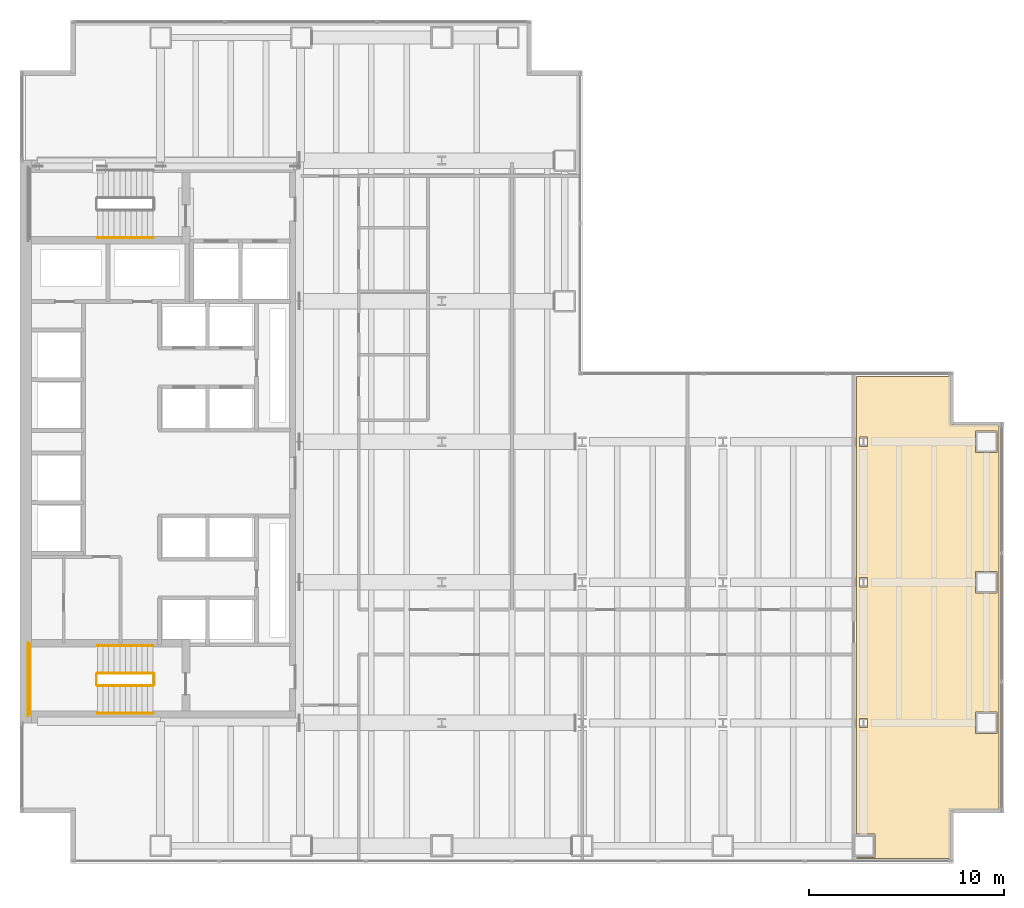
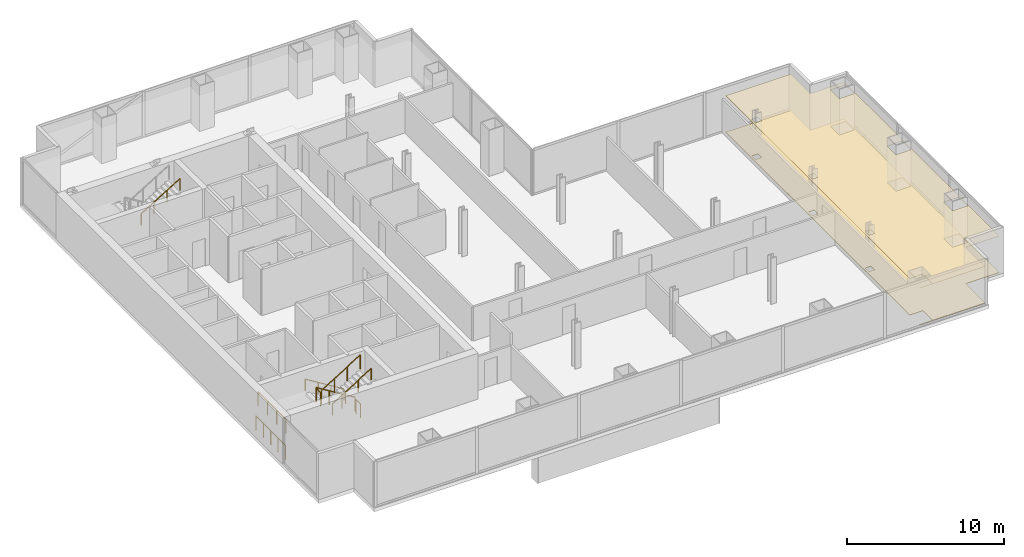
# One storey, part 23 of 24: 9 railings, 2 coverings.
"""IFC4 building model written with IfcOpenShell, lengths in metres."""

from ifc_helpers import new_model, si_unit, direction, frame, origin, origin_2d, place, context, subcontext, project, spatial, polyline, circle, outline, extrude, material, layer, layer_set, type_object, element, save


model = new_model("IFC4")

# Units and contexts
model_context = context("Model", 3, precision=1e-05, world=origin(), true_north=direction((0.0, 1.0)))
body_context = subcontext(model_context, "Body", "Model", "MODEL_VIEW")
ifc_project = project(units=[si_unit("LENGTHUNIT", "METRE"), si_unit("AREAUNIT", "SQUARE_METRE"), si_unit("VOLUMEUNIT", "CUBIC_METRE"), si_unit("PLANEANGLEUNIT", "RADIAN"), si_unit("MASSUNIT", "GRAM", prefix="KILO")], contexts=[model_context])

# Site, building, storey
site_placement = place(None, origin())
site = spatial("IfcSite", under=ifc_project, at=site_placement, CompositionType="ELEMENT")
building_placement = place(site_placement, origin())
building = spatial("IfcBuilding", under=site, at=building_placement, Name="Cobrela Telecom Tower", CompositionType="ELEMENT")
storey_placement = place(building_placement, frame((0.0, 0.0, 31.14990234375)))
storey = spatial("IfcBuildingStorey", under=building, at=storey_placement, Name="L07", CompositionType="ELEMENT", Elevation=31.14990234375)

# Coverings
ifc_material_1 = material(Name="Mineral Fibre Acoustic Ceiling Tile")
ifc_layer_1 = layer(ifc_material_1, 0.02490234375)
ifc_layer_set_1 = layer_set([ifc_layer_1], Name="Mineral Fibre Acoustic Ceiling Tile")
covering_type_1 = type_object("IfcCoveringType", Name="COV-CEIL-ACT", PredefinedType="CEILING", material=ifc_layer_set_1)
covering_1_placement = place(storey_placement, frame((0.0, 0.0, 2.85009765625)))
element("IfcCovering", 1, at=covering_1_placement, inside=storey, type_object=covering_type_1, Name="L07 Systems Engineering Studio 8 Suspended Acoustic Ceiling", PredefinedType="CEILING", context=body_context, shape_type="SweptSolid", body=[
    extrude(outline(polyline([(47.78271484375, 2.727294921875), (47.769287109375, 2.72412109375), (47.75634765625, 2.719482421875), (47.743896484375, 2.71337890625), (47.732177734375, 2.706298828125), (47.72119140625, 2.6982421875), (47.7109375, 2.68896484375), (47.70166015625, 2.6787109375), (47.693603515625, 2.66796875), (47.6865234375, 2.656005859375), (47.6806640625, 2.6435546875), (47.676025390625, 2.630615234375), (47.672607421875, 2.6171875), (47.670654296875, 2.603759765625), (47.669921875, 2.591064453125), (47.669921875, 0.260009765625), (42.840087890625, 0.260009765625), (42.840087890625, 0.300048828125), (43.800048828125, 0.300048828125), (43.800048828125, 1.5), (42.840087890625, 1.5), (42.840087890625, 24.93994140625), (47.669921875, 24.93994140625), (47.669921875, 22.60888671875), (47.670654296875, 22.59619140625), (47.672607421875, 22.582763671875), (47.676025390625, 22.5693359375), (47.6806640625, 22.556396484375), (47.6865234375, 22.5439453125), (47.693603515625, 22.531982421875), (47.70166015625, 22.521240234375), (47.7109375, 22.510986328125), (47.72119140625, 22.501708984375), (47.732177734375, 22.49365234375), (47.743896484375, 22.486572265625), (47.75634765625, 22.480712890625), (47.769287109375, 22.47607421875), (47.78271484375, 22.47265625), (47.79638671875, 22.470703125), (47.80908203125, 22.469970703125), (50.139892578125, 22.469970703125), (50.139892578125, 2.72998046875), (47.80908203125, 2.72998046875), (47.79638671875, 2.7294921875), (47.78271484375, 2.727294921875)]), holes=[polyline([(43.410888671875, 6.967529296875), (43.410888671875, 7.4326171875), (42.989013671875, 7.4326171875), (42.989013671875, 6.967529296875), (43.410888671875, 6.967529296875)]), polyline([(50.050048828125, 6.64990234375), (50.050048828125, 7.75), (48.949951171875, 7.75), (48.949951171875, 6.64990234375), (50.050048828125, 6.64990234375)]), polyline([(43.410888671875, 14.16748046875), (43.410888671875, 14.632568359375), (42.989013671875, 14.632568359375), (42.989013671875, 14.16748046875), (43.410888671875, 14.16748046875)]), polyline([(50.050048828125, 13.85009765625), (50.050048828125, 14.949951171875), (48.949951171875, 14.949951171875), (48.949951171875, 13.85009765625), (50.050048828125, 13.85009765625)]), polyline([(43.410888671875, 21.367431640625), (43.410888671875, 21.83251953125), (42.989013671875, 21.83251953125), (42.989013671875, 21.367431640625), (43.410888671875, 21.367431640625)]), polyline([(50.050048828125, 21.050048828125), (50.050048828125, 22.14990234375), (48.949951171875, 22.14990234375), (48.949951171875, 21.050048828125), (50.050048828125, 21.050048828125)])]), origin(), (0.0, 0.0, 1.0), 0.02490234375),
])
ifc_material_2 = material(Name="Honed Colombian Basalt Stone", Category="masonry")
ifc_layer_2 = layer(ifc_material_2, 0.0400390625)
ifc_layer_set_2 = layer_set([ifc_layer_2], Name="Honed Colombian Basalt Stone")
covering_type_2 = type_object("IfcCoveringType", Name="COV-FLR-STONE", PredefinedType="FLOORING", material=ifc_layer_set_2)
covering_2_placement = place(storey_placement, origin())
element("IfcCovering", 2, at=covering_2_placement, inside=storey, type_object=covering_type_2, Name="L07 Systems Engineering Studio 8 Raised Technical Flooring", PredefinedType="FLOORING", context=body_context, shape_type="SweptSolid", body=[
    extrude(outline(polyline([(47.78271484375, 2.727294921875), (47.769287109375, 2.72412109375), (47.75634765625, 2.719482421875), (47.743896484375, 2.71337890625), (47.732177734375, 2.706298828125), (47.72119140625, 2.6982421875), (47.7109375, 2.68896484375), (47.70166015625, 2.6787109375), (47.693603515625, 2.66796875), (47.6865234375, 2.656005859375), (47.6806640625, 2.6435546875), (47.676025390625, 2.630615234375), (47.672607421875, 2.6171875), (47.670654296875, 2.603759765625), (47.669921875, 2.591064453125), (47.669921875, 0.260009765625), (42.840087890625, 0.260009765625), (42.840087890625, 0.300048828125), (43.800048828125, 0.300048828125), (43.800048828125, 1.5), (42.840087890625, 1.5), (42.840087890625, 24.93994140625), (47.669921875, 24.93994140625), (47.669921875, 22.60888671875), (47.670654296875, 22.59619140625), (47.672607421875, 22.582763671875), (47.676025390625, 22.5693359375), (47.6806640625, 22.556396484375), (47.6865234375, 22.5439453125), (47.693603515625, 22.531982421875), (47.70166015625, 22.521240234375), (47.7109375, 22.510986328125), (47.72119140625, 22.501708984375), (47.732177734375, 22.49365234375), (47.743896484375, 22.486572265625), (47.75634765625, 22.480712890625), (47.769287109375, 22.47607421875), (47.78271484375, 22.47265625), (47.79638671875, 22.470703125), (47.80908203125, 22.469970703125), (50.139892578125, 22.469970703125), (50.139892578125, 2.72998046875), (47.80908203125, 2.72998046875), (47.79638671875, 2.7294921875), (47.78271484375, 2.727294921875)]), holes=[polyline([(43.410888671875, 6.967529296875), (43.410888671875, 7.4326171875), (42.989013671875, 7.4326171875), (42.989013671875, 6.967529296875), (43.410888671875, 6.967529296875)]), polyline([(50.050048828125, 6.64990234375), (50.050048828125, 7.75), (48.949951171875, 7.75), (48.949951171875, 6.64990234375), (50.050048828125, 6.64990234375)]), polyline([(43.410888671875, 14.16748046875), (43.410888671875, 14.632568359375), (42.989013671875, 14.632568359375), (42.989013671875, 14.16748046875), (43.410888671875, 14.16748046875)]), polyline([(50.050048828125, 13.85009765625), (50.050048828125, 14.949951171875), (48.949951171875, 14.949951171875), (48.949951171875, 13.85009765625), (50.050048828125, 13.85009765625)]), polyline([(43.410888671875, 21.367431640625), (43.410888671875, 21.83251953125), (42.989013671875, 21.83251953125), (42.989013671875, 21.367431640625), (43.410888671875, 21.367431640625)]), polyline([(50.050048828125, 21.050048828125), (50.050048828125, 22.14990234375), (48.949951171875, 22.14990234375), (48.949951171875, 21.050048828125), (50.050048828125, 21.050048828125)])]), origin(), (0.0, 0.0, 1.0), 0.0400390625),
])

# Railings
ifc_material_3 = material(Name="Steel ASTM A36", Category="steel")
railing_type_1 = type_object("IfcRailingType", Name="RAIL-GUARD-1100", PredefinedType="GUARDRAIL", material=ifc_material_3)
railing_1_placement = place(storey_placement, frame((6.820068359375, 9.75, 0.175048828125)))
element("IfcRailing", 3, at=railing_1_placement, inside=storey, type_object=railing_type_1, Name="L07 ST2 stair guard 1", PredefinedType="GUARDRAIL", context=body_context, shape_type="SweptSolid", body=[
    extrude(circle(Radius=0.02392578125, at=origin_2d()), frame((0.0, 0.0, 1.076171875), z_axis=(-0.852179220489, 0.0, 0.52325001306), x_axis=(0.0, -1.0, 0.0)), (0.0, 0.0, 1.0), 3.344482421875),
    extrude(circle(Radius=0.02099609375, at=origin_2d()), origin(), (0.0, 0.0, 1.0), 1.052001953125),
    extrude(circle(Radius=0.02099609375, at=origin_2d()), frame((-0.949951171875, 0.0, 0.583251953125)), (0.0, 0.0, 1.0), 1.052001953125),
    extrude(circle(Radius=0.02099609375, at=origin_2d()), frame((-1.900146484375, 0.0, 1.166748046875)), (0.0, 0.0, 1.0), 1.052001953125),
    extrude(circle(Radius=0.02099609375, at=origin_2d()), frame((-2.85009765625, 0.0, 1.75)), (0.0, 0.0, 1.0), 1.052001953125),
])
railing_2_placement = place(storey_placement, frame((3.919921875, 9.699951171875, 1.925048828125)))
element("IfcRailing", 4, at=railing_2_placement, inside=storey, type_object=railing_type_1, Name="L07 ST2 stair guard 2", PredefinedType="GUARDRAIL", context=body_context, shape_type="SweptSolid", body=[
    extrude(circle(Radius=0.02392578125, at=origin_2d()), frame((0.0, 0.0, 1.076171875), z_axis=(0.0, -1.0, 0.0), x_axis=(1.0, 0.0, 0.0)), (0.0, 0.0, 1.0), 0.550048828125),
    extrude(circle(Radius=0.02099609375, at=origin_2d()), origin(), (0.0, 0.0, 1.0), 1.052001953125),
    extrude(circle(Radius=0.02099609375, at=origin_2d()), frame((0.0, -0.550048828125, 0.0)), (0.0, 0.0, 1.0), 1.052001953125),
])
railing_3_placement = place(storey_placement, frame((0.530029296875, 11.199951171875, 1.925048828125)))
element("IfcRailing", 5, at=railing_3_placement, inside=storey, type_object=railing_type_1, Name="L07 ST2 stair guard 3", PredefinedType="GUARDRAIL", context=body_context, shape_type="SweptSolid", body=[
    extrude(circle(Radius=0.02392578125, at=origin_2d()), frame((0.0, 0.0, 1.076171875), z_axis=(0.0, -1.0, 0.0), x_axis=(1.0, 0.0, 0.0)), (0.0, 0.0, 1.0), 3.550048828125),
    extrude(circle(Radius=0.02099609375, at=origin_2d()), origin(), (0.0, 0.0, 1.0), 1.052001953125),
    extrude(circle(Radius=0.02099609375, at=origin_2d()), frame((0.0, -1.183349609375, 0.0)), (0.0, 0.0, 1.0), 1.052001953125),
    extrude(circle(Radius=0.02099609375, at=origin_2d()), frame((0.0, -2.36669921875, 0.0)), (0.0, 0.0, 1.0), 1.052001953125),
    extrude(circle(Radius=0.02099609375, at=origin_2d()), frame((0.0, -3.550048828125, 0.0)), (0.0, 0.0, 1.0), 1.052001953125),
])
railing_4_placement = place(storey_placement, frame((3.969970703125, 9.10009765625, 2.10009765625)))
element("IfcRailing", 6, at=railing_4_placement, inside=storey, type_object=railing_type_1, Name="L07 ST2 stair guard 4", PredefinedType="GUARDRAIL", context=body_context, shape_type="SweptSolid", body=[
    extrude(circle(Radius=0.02392578125, at=origin_2d()), frame((0.0, 0.0, 1.076171875), z_axis=(0.852179220489, 0.0, 0.52325001306), x_axis=(0.0, 1.0, 0.0)), (0.0, 0.0, 1.0), 3.344482421875),
    extrude(circle(Radius=0.02099609375, at=origin_2d()), origin(), (0.0, 0.0, 1.0), 1.052001953125),
    extrude(circle(Radius=0.02099609375, at=origin_2d()), frame((0.949951171875, 0.0, 0.583251953125)), (0.0, 0.0, 1.0), 1.052001953125),
    extrude(circle(Radius=0.02099609375, at=origin_2d()), frame((1.900146484375, 0.0, 1.166748046875)), (0.0, 0.0, 1.0), 1.052001953125),
    extrude(circle(Radius=0.02099609375, at=origin_2d()), frame((2.85009765625, 0.0, 1.75)), (0.0, 0.0, 1.0), 1.052001953125),
])
railing_5_placement = place(storey_placement, frame((6.8701171875, 9.699951171875, 0.0)))
element("IfcRailing", 7, at=railing_5_placement, inside=storey, type_object=railing_type_1, Name="L07 ST2 stair guard 5", PredefinedType="GUARDRAIL", context=body_context, shape_type="SweptSolid", body=[
    extrude(circle(Radius=0.02392578125, at=origin_2d()), frame((0.0, 0.0, 1.076171875), z_axis=(0.0, -1.0, 0.0), x_axis=(1.0, 0.0, 0.0)), (0.0, 0.0, 1.0), 0.550048828125),
    extrude(circle(Radius=0.02099609375, at=origin_2d()), origin(), (0.0, 0.0, 1.0), 1.052001953125),
    extrude(circle(Radius=0.02099609375, at=origin_2d()), frame((0.0, -0.550048828125, 0.0)), (0.0, 0.0, 1.0), 1.052001953125),
])
railing_6_placement = place(storey_placement, frame((0.429931640625, 11.300048828125, 0.0)))
element("IfcRailing", 8, at=railing_6_placement, inside=storey, type_object=railing_type_1, Name="L07 ST2 stair guard 6", PredefinedType="GUARDRAIL", context=body_context, shape_type="SweptSolid", body=[
    extrude(circle(Radius=0.02392578125, at=origin_2d()), frame((0.0, 0.0, 1.076171875), z_axis=(0.0, -1.0, 0.0), x_axis=(1.0, 0.0, 0.0)), (0.0, 0.0, 1.0), 3.75),
    extrude(circle(Radius=0.02099609375, at=origin_2d()), origin(), (0.0, 0.0, 1.0), 1.052001953125),
    extrude(circle(Radius=0.02099609375, at=origin_2d()), frame((0.0, -0.9375, 0.0)), (0.0, 0.0, 1.0), 1.052001953125),
    extrude(circle(Radius=0.02099609375, at=origin_2d()), frame((0.0, -1.875, 0.0)), (0.0, 0.0, 1.0), 1.052001953125),
    extrude(circle(Radius=0.02099609375, at=origin_2d()), frame((0.0, -2.8125, 0.0)), (0.0, 0.0, 1.0), 1.052001953125),
    extrude(circle(Radius=0.02099609375, at=origin_2d()), frame((0.0, -3.75, 0.0)), (0.0, 0.0, 1.0), 1.052001953125),
])
railing_type_2 = type_object("IfcRailingType", Name="RAIL-HAND-920", PredefinedType="HANDRAIL", material=ifc_material_3)
railing_7_placement = place(storey_placement, frame((3.969970703125, 32.050048828125, 2.10009765625)))
element("IfcRailing", 9, at=railing_7_placement, inside=storey, type_object=railing_type_2, Name="L07 ST1 stair handrail 2", PredefinedType="HANDRAIL", context=body_context, shape_type="SweptSolid", body=[
    extrude(circle(Radius=0.02392578125, at=origin_2d()), frame((0.0, 0.0, 0.8759765625), z_axis=(0.852179220489, 0.0, 0.52325001306), x_axis=(0.0, 1.0, 0.0)), (0.0, 0.0, 1.0), 3.344482421875),
    extrude(circle(Radius=0.02099609375, at=origin_2d()), origin(), (0.0, 0.0, 1.0), 0.851806640625),
    extrude(circle(Radius=0.02099609375, at=origin_2d()), frame((0.949951171875, 0.0, 0.583251953125)), (0.0, 0.0, 1.0), 0.851806640625),
    extrude(circle(Radius=0.02099609375, at=origin_2d()), frame((1.900146484375, 0.0, 1.166748046875)), (0.0, 0.0, 1.0), 0.851806640625),
    extrude(circle(Radius=0.02099609375, at=origin_2d()), frame((2.85009765625, 0.0, 1.75)), (0.0, 0.0, 1.0), 0.851806640625),
])
railing_8_placement = place(storey_placement, frame((6.820068359375, 11.14990234375, 0.175048828125)))
element("IfcRailing", 10, at=railing_8_placement, inside=storey, type_object=railing_type_2, Name="L07 ST2 stair handrail 1", PredefinedType="HANDRAIL", context=body_context, shape_type="SweptSolid", body=[
    extrude(circle(Radius=0.02392578125, at=origin_2d()), frame((0.0, 0.0, 0.8759765625), z_axis=(-0.852179220489, 0.0, 0.52325001306), x_axis=(0.0, -1.0, 0.0)), (0.0, 0.0, 1.0), 3.344482421875),
    extrude(circle(Radius=0.02099609375, at=origin_2d()), origin(), (0.0, 0.0, 1.0), 0.851806640625),
    extrude(circle(Radius=0.02099609375, at=origin_2d()), frame((-0.949951171875, 0.0, 0.583251953125)), (0.0, 0.0, 1.0), 0.851806640625),
    extrude(circle(Radius=0.02099609375, at=origin_2d()), frame((-1.900146484375, 0.0, 1.166748046875)), (0.0, 0.0, 1.0), 0.851806640625),
    extrude(circle(Radius=0.02099609375, at=origin_2d()), frame((-2.85009765625, 0.0, 1.75)), (0.0, 0.0, 1.0), 0.851806640625),
])
railing_9_placement = place(storey_placement, frame((3.969970703125, 7.699951171875, 2.10009765625)))
element("IfcRailing", 11, at=railing_9_placement, inside=storey, type_object=railing_type_2, Name="L07 ST2 stair handrail 2", PredefinedType="HANDRAIL", context=body_context, shape_type="SweptSolid", body=[
    extrude(circle(Radius=0.02392578125, at=origin_2d()), frame((0.0, 0.0, 0.8759765625), z_axis=(0.852179220489, 0.0, 0.52325001306), x_axis=(0.0, 1.0, 0.0)), (0.0, 0.0, 1.0), 3.344482421875),
    extrude(circle(Radius=0.02099609375, at=origin_2d()), origin(), (0.0, 0.0, 1.0), 0.851806640625),
    extrude(circle(Radius=0.02099609375, at=origin_2d()), frame((0.949951171875, 0.0, 0.583251953125)), (0.0, 0.0, 1.0), 0.851806640625),
    extrude(circle(Radius=0.02099609375, at=origin_2d()), frame((1.900146484375, 0.0, 1.166748046875)), (0.0, 0.0, 1.0), 0.851806640625),
    extrude(circle(Radius=0.02099609375, at=origin_2d()), frame((2.85009765625, 0.0, 1.75)), (0.0, 0.0, 1.0), 0.851806640625),
])

save(model, "model.ifc")
